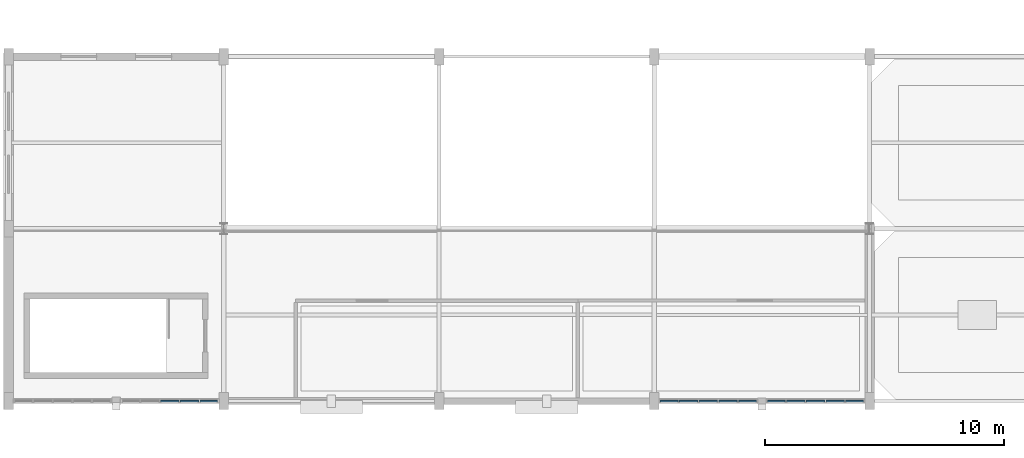
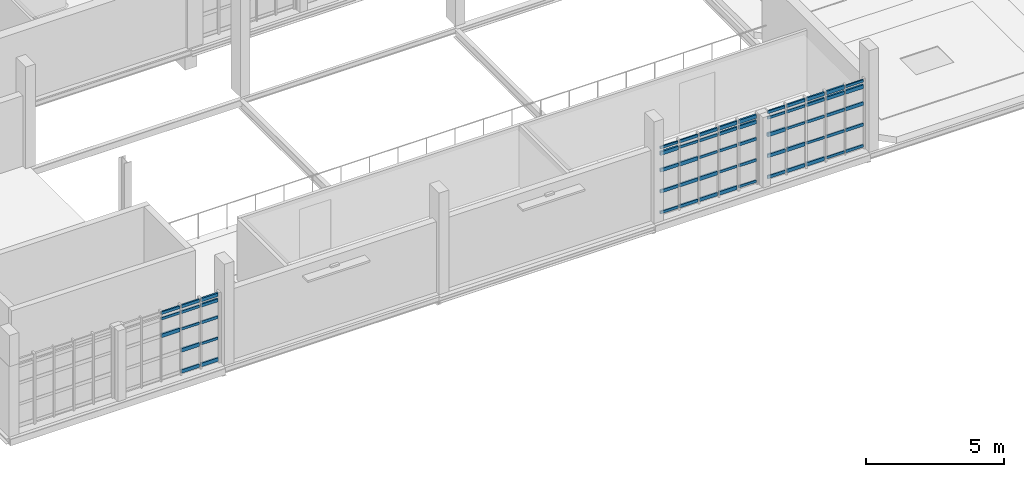
# One storey, part 54 of 125: 63 members, 3 elements without a shape of their own.
"""IFC4 building model written with IfcOpenShell, lengths in metres."""

from ifc_helpers import new_model, si_unit, direction, frame, origin, origin_2d, place, context, subcontext, project, spatial, rectangle, extrude, material, material_profile, profile_set, type_object, element, aggregate, save


model = new_model("IFC4")

# Units and contexts
model_context = context("Model", 3, precision=1e-05, world=origin(), true_north=direction((0.0, 1.0)))
body_context = subcontext(model_context, "Body", "Model", "MODEL_VIEW")
ifc_project = project(units=[si_unit("LENGTHUNIT", "METRE"), si_unit("AREAUNIT", "SQUARE_METRE"), si_unit("VOLUMEUNIT", "CUBIC_METRE"), si_unit("PLANEANGLEUNIT", "RADIAN"), si_unit("MASSUNIT", "GRAM", prefix="KILO")], contexts=[model_context])

# Site, building, storey
site_placement = place(None, origin())
site = spatial("IfcSite", under=ifc_project, at=site_placement, CompositionType="ELEMENT")
building_placement = place(site_placement, origin())
building = spatial("IfcBuilding", under=site, at=building_placement, Name="Serraforn Aerial Cableway Station", CompositionType="ELEMENT")
storey_placement = place(building_placement, frame((0.0, 0.0, 4.5)))
storey = spatial("IfcBuildingStorey", under=building, at=storey_placement, Name="L01", CompositionType="ELEMENT", Elevation=4.5)

# Curtain wall, members
ifc_material_1 = material(Name="Anodised bronze unitised curtain wall")
curtain_wall_type_1 = type_object("IfcCurtainWallType", Name="CW-SYS-26", PredefinedType="USERDEFINED", material=ifc_material_1)
curtain_wall_1_placement = place(storey_placement, origin())
curtain_wall_1 = element("IfcCurtainWall", 1, at=curtain_wall_1_placement, inside=storey, type_object=curtain_wall_type_1, Name="Unitised Curtain Wall CW-CF-L01-S1B", ObjectType="UNITISED CURTAIN WALL", PredefinedType="USERDEFINED")
ifc_material_2 = material(Name="Anodised bronze extruded aluminium", Category="aluminium")
ifc_material_profile_1 = material_profile(ifc_material_2, rectangle(XDim=0.054931640625, YDim=0.110107421875, at=origin_2d()), Name="CW TRANSOM 55x110")
ifc_profile_set_1 = profile_set([ifc_material_profile_1], Name="Anodised bronze extruded aluminium")
member_type_1 = type_object("IfcMemberType", Name="CW-TRN-1", PredefinedType="USERDEFINED", material=ifc_profile_set_1)
member_1_placement = place(storey_placement, frame((33.956787109375, 0.0, 2.74560546875), z_axis=(1.0, 0.0, 0.0), x_axis=(0.0, 1.0, 0.0)))
member_1 = element("IfcMember", 2, at=member_1_placement, type_object=member_type_1, Name="Curtain Wall Transom CW-CF-L01-S1B-T3-4", ObjectType="TRANSOM", PredefinedType="USERDEFINED", context=body_context, shape_type="SweptSolid", body=[
    extrude(rectangle(XDim=0.054931640625, YDim=0.110107421875, at=origin_2d()), origin(), (0.0, 0.0, 1.0), 0.765869140625),
])
member_2_placement = place(storey_placement, frame((34.78369140625, 0.0, 1.996826171875), z_axis=(1.0, 0.0, 0.0), x_axis=(0.0, 1.0, 0.0)))
member_2 = element("IfcMember", 3, at=member_2_placement, type_object=member_type_1, Name="Curtain Wall Transom CW-CF-L01-S1B-T4-3", ObjectType="TRANSOM", PredefinedType="USERDEFINED", context=body_context, shape_type="SweptSolid", body=[
    extrude(rectangle(XDim=0.054931640625, YDim=0.110107421875, at=origin_2d()), origin(), (0.0, 0.0, 1.0), 0.760986328125),
])
member_3_placement = place(storey_placement, frame((35.610595703125, 0.0, 1.060791015625), z_axis=(1.0, 0.0, 0.0), x_axis=(0.0, 1.0, 0.0)))
member_3 = element("IfcMember", 4, at=member_3_placement, type_object=member_type_1, Name="Curtain Wall Transom CW-CF-L01-S1B-T5-2", ObjectType="TRANSOM", PredefinedType="USERDEFINED", context=body_context, shape_type="SweptSolid", body=[
    extrude(rectangle(XDim=0.054931640625, YDim=0.110107421875, at=origin_2d()), origin(), (0.0, 0.0, 1.0), 0.718505859375),
])

curtain_wall_type_2 = type_object("IfcCurtainWallType", Name="CW-SYS-27", PredefinedType="USERDEFINED", material=ifc_material_1)
curtain_wall_2_placement = place(storey_placement, origin())
curtain_wall_2 = element("IfcCurtainWall", 5, at=curtain_wall_2_placement, inside=storey, type_object=curtain_wall_type_2, Name="Unitised Curtain Wall CW-CF-L01-S4A", ObjectType="UNITISED CURTAIN WALL", PredefinedType="USERDEFINED")
member_4_placement = place(storey_placement, frame((54.85107421875, 0.0, 2.9951171875), z_axis=(1.0, 0.0, 0.0), x_axis=(0.0, 1.0, 0.0)))
member_4 = element("IfcMember", 6, at=member_4_placement, type_object=member_type_1, Name="Curtain Wall Transom CW-CF-L01-S4A-T1-5", ObjectType="TRANSOM", PredefinedType="USERDEFINED", context=body_context, shape_type="SweptSolid", body=[
    extrude(rectangle(XDim=0.054931640625, YDim=0.110107421875, at=origin_2d()), origin(), (0.0, 0.0, 1.0), 0.743408203125),
])
member_5_placement = place(storey_placement, frame((55.650390625, 0.0, 2.74560546875), z_axis=(1.0, 0.0, 0.0), x_axis=(0.0, 1.0, 0.0)))
member_5 = element("IfcMember", 7, at=member_5_placement, type_object=member_type_1, Name="Curtain Wall Transom CW-CF-L01-S4A-T2-4", ObjectType="TRANSOM", PredefinedType="USERDEFINED", context=body_context, shape_type="SweptSolid", body=[
    extrude(rectangle(XDim=0.054931640625, YDim=0.110107421875, at=origin_2d()), origin(), (0.0, 0.0, 1.0), 0.765869140625),
])
member_6_placement = place(storey_placement, frame((56.477294921875, 0.0, 1.996826171875), z_axis=(1.0, 0.0, 0.0), x_axis=(0.0, 1.0, 0.0)))
member_6 = element("IfcMember", 8, at=member_6_placement, type_object=member_type_1, Name="Curtain Wall Transom CW-CF-L01-S4A-T3-3", ObjectType="TRANSOM", PredefinedType="USERDEFINED", context=body_context, shape_type="SweptSolid", body=[
    extrude(rectangle(XDim=0.054931640625, YDim=0.110107421875, at=origin_2d()), origin(), (0.0, 0.0, 1.0), 0.760986328125),
])
member_7_placement = place(storey_placement, frame((57.30419921875, 0.0, 1.060791015625), z_axis=(1.0, 0.0, 0.0), x_axis=(0.0, 1.0, 0.0)))
member_7 = element("IfcMember", 9, at=member_7_placement, type_object=member_type_1, Name="Curtain Wall Transom CW-CF-L01-S4A-T4-2", ObjectType="TRANSOM", PredefinedType="USERDEFINED", context=body_context, shape_type="SweptSolid", body=[
    extrude(rectangle(XDim=0.054931640625, YDim=0.110107421875, at=origin_2d()), origin(), (0.0, 0.0, 1.0), 0.755859375),
])
member_8_placement = place(storey_placement, frame((58.131103515625, 0.0, 0.124755859375), z_axis=(1.0, 0.0, 0.0), x_axis=(0.0, 1.0, 0.0)))
member_8 = element("IfcMember", 10, at=member_8_placement, type_object=member_type_1, Name="Curtain Wall Transom CW-CF-L01-S4A-T5-1", ObjectType="TRANSOM", PredefinedType="USERDEFINED", context=body_context, shape_type="SweptSolid", body=[
    extrude(rectangle(XDim=0.054931640625, YDim=0.110107421875, at=origin_2d()), origin(), (0.0, 0.0, 1.0), 0.73583984375),
])

curtain_wall_type_3 = type_object("IfcCurtainWallType", Name="CW-SYS-28", PredefinedType="USERDEFINED", material=ifc_material_1)
curtain_wall_3_placement = place(storey_placement, origin())
curtain_wall_3 = element("IfcCurtainWall", 11, at=curtain_wall_3_placement, inside=storey, type_object=curtain_wall_type_3, Name="Unitised Curtain Wall CW-CF-L01-S4B", ObjectType="UNITISED CURTAIN WALL", PredefinedType="USERDEFINED")
member_9_placement = place(storey_placement, frame((59.337890625, 0.0, 2.74560546875), z_axis=(1.0, 0.0, 0.0), x_axis=(0.0, 1.0, 0.0)))
member_9 = element("IfcMember", 12, at=member_9_placement, type_object=member_type_1, Name="Curtain Wall Transom CW-CF-L01-S4B-T1-4", ObjectType="TRANSOM", PredefinedType="USERDEFINED", context=body_context, shape_type="SweptSolid", body=[
    extrude(rectangle(XDim=0.054931640625, YDim=0.110107421875, at=origin_2d()), origin(), (0.0, 0.0, 1.0), 0.736083984375),
])
member_10_placement = place(storey_placement, frame((60.135009765625, 0.0, 1.996826171875), z_axis=(1.0, 0.0, 0.0), x_axis=(0.0, 1.0, 0.0)))
member_10 = element("IfcMember", 13, at=member_10_placement, type_object=member_type_1, Name="Curtain Wall Transom CW-CF-L01-S4B-T2-3", ObjectType="TRANSOM", PredefinedType="USERDEFINED", context=body_context, shape_type="SweptSolid", body=[
    extrude(rectangle(XDim=0.054931640625, YDim=0.110107421875, at=origin_2d()), origin(), (0.0, 0.0, 1.0), 0.7607421875),
])
member_11_placement = place(storey_placement, frame((60.9619140625, 0.0, 1.060791015625), z_axis=(1.0, 0.0, 0.0), x_axis=(0.0, 1.0, 0.0)))
member_11 = element("IfcMember", 14, at=member_11_placement, type_object=member_type_1, Name="Curtain Wall Transom CW-CF-L01-S4B-T3-2", ObjectType="TRANSOM", PredefinedType="USERDEFINED", context=body_context, shape_type="SweptSolid", body=[
    extrude(rectangle(XDim=0.054931640625, YDim=0.110107421875, at=origin_2d()), origin(), (0.0, 0.0, 1.0), 0.755859375),
])
member_12_placement = place(storey_placement, frame((61.788818359375, 0.0, 0.124755859375), z_axis=(1.0, 0.0, 0.0), x_axis=(0.0, 1.0, 0.0)))
member_12 = element("IfcMember", 15, at=member_12_placement, type_object=member_type_1, Name="Curtain Wall Transom CW-CF-L01-S4B-T4-1", ObjectType="TRANSOM", PredefinedType="USERDEFINED", context=body_context, shape_type="SweptSolid", body=[
    extrude(rectangle(XDim=0.054931640625, YDim=0.110107421875, at=origin_2d()), origin(), (0.0, 0.0, 1.0), 0.76318359375),
])
member_13_placement = place(storey_placement, frame((62.60302734375, 0.0, 2.9951171875), z_axis=(1.0, 0.0, 0.0), x_axis=(0.0, 1.0, 0.0)))
member_13 = element("IfcMember", 16, at=member_13_placement, type_object=member_type_1, Name="Curtain Wall Transom CW-CF-L01-S4B-T5-5", ObjectType="TRANSOM", PredefinedType="USERDEFINED", context=body_context, shape_type="SweptSolid", body=[
    extrude(rectangle(XDim=0.054931640625, YDim=0.110107421875, at=origin_2d()), origin(), (0.0, 0.0, 1.0), 0.740966796875),
])

# Member
ifc_material_profile_2 = material_profile(ifc_material_2, rectangle(XDim=0.06005859375, YDim=0.1201171875, at=origin_2d()), Name="CW TRANSOM 60x120")
ifc_profile_set_2 = profile_set([ifc_material_profile_2], Name="Anodised bronze extruded aluminium")
member_type_2 = type_object("IfcMemberType", Name="CW-TRN-2", PredefinedType="USERDEFINED", material=ifc_profile_set_2)
member_14_placement = place(storey_placement, frame((33.956787109375, 0.0, 2.9951171875), z_axis=(1.0, 0.0, 0.0), x_axis=(0.0, 1.0, 0.0)))
member_14 = element("IfcMember", 17, at=member_14_placement, type_object=member_type_2, Name="Curtain Wall Transom CW-CF-L01-S1B-T3-5", ObjectType="TRANSOM", PredefinedType="USERDEFINED", context=body_context, shape_type="SweptSolid", body=[
    extrude(rectangle(XDim=0.06005859375, YDim=0.1201171875, at=origin_2d()), origin(), (0.0, 0.0, 1.0), 0.765869140625),
])

member_15_placement = place(storey_placement, frame((34.78369140625, 0.0, 2.74560546875), z_axis=(1.0, 0.0, 0.0), x_axis=(0.0, 1.0, 0.0)))
member_15 = element("IfcMember", 18, at=member_15_placement, type_object=member_type_2, Name="Curtain Wall Transom CW-CF-L01-S1B-T4-4", ObjectType="TRANSOM", PredefinedType="USERDEFINED", context=body_context, shape_type="SweptSolid", body=[
    extrude(rectangle(XDim=0.06005859375, YDim=0.1201171875, at=origin_2d()), origin(), (0.0, 0.0, 1.0), 0.760986328125),
])

member_16_placement = place(storey_placement, frame((35.610595703125, 0.0, 1.996826171875), z_axis=(1.0, 0.0, 0.0), x_axis=(0.0, 1.0, 0.0)))
member_16 = element("IfcMember", 19, at=member_16_placement, type_object=member_type_2, Name="Curtain Wall Transom CW-CF-L01-S1B-T5-3", ObjectType="TRANSOM", PredefinedType="USERDEFINED", context=body_context, shape_type="SweptSolid", body=[
    extrude(rectangle(XDim=0.06005859375, YDim=0.1201171875, at=origin_2d()), origin(), (0.0, 0.0, 1.0), 0.718505859375),
])

member_17_placement = place(storey_placement, frame((54.85107421875, 0.0, 0.124755859375), z_axis=(1.0, 0.0, 0.0), x_axis=(0.0, 1.0, 0.0)))
member_17 = element("IfcMember", 20, at=member_17_placement, type_object=member_type_2, Name="Curtain Wall Transom CW-CF-L01-S4A-T1-1", ObjectType="TRANSOM", PredefinedType="USERDEFINED", context=body_context, shape_type="SweptSolid", body=[
    extrude(rectangle(XDim=0.06005859375, YDim=0.1201171875, at=origin_2d()), origin(), (0.0, 0.0, 1.0), 0.743408203125),
])

member_18_placement = place(storey_placement, frame((55.650390625, 0.0, 2.9951171875), z_axis=(1.0, 0.0, 0.0), x_axis=(0.0, 1.0, 0.0)))
member_18 = element("IfcMember", 21, at=member_18_placement, type_object=member_type_2, Name="Curtain Wall Transom CW-CF-L01-S4A-T2-5", ObjectType="TRANSOM", PredefinedType="USERDEFINED", context=body_context, shape_type="SweptSolid", body=[
    extrude(rectangle(XDim=0.06005859375, YDim=0.1201171875, at=origin_2d()), origin(), (0.0, 0.0, 1.0), 0.765869140625),
])

member_19_placement = place(storey_placement, frame((56.477294921875, 0.0, 2.74560546875), z_axis=(1.0, 0.0, 0.0), x_axis=(0.0, 1.0, 0.0)))
member_19 = element("IfcMember", 22, at=member_19_placement, type_object=member_type_2, Name="Curtain Wall Transom CW-CF-L01-S4A-T3-4", ObjectType="TRANSOM", PredefinedType="USERDEFINED", context=body_context, shape_type="SweptSolid", body=[
    extrude(rectangle(XDim=0.06005859375, YDim=0.1201171875, at=origin_2d()), origin(), (0.0, 0.0, 1.0), 0.760986328125),
])

member_20_placement = place(storey_placement, frame((57.30419921875, 0.0, 1.996826171875), z_axis=(1.0, 0.0, 0.0), x_axis=(0.0, 1.0, 0.0)))
member_20 = element("IfcMember", 23, at=member_20_placement, type_object=member_type_2, Name="Curtain Wall Transom CW-CF-L01-S4A-T4-3", ObjectType="TRANSOM", PredefinedType="USERDEFINED", context=body_context, shape_type="SweptSolid", body=[
    extrude(rectangle(XDim=0.06005859375, YDim=0.1201171875, at=origin_2d()), origin(), (0.0, 0.0, 1.0), 0.755859375),
])

member_21_placement = place(storey_placement, frame((58.131103515625, 0.0, 1.060791015625), z_axis=(1.0, 0.0, 0.0), x_axis=(0.0, 1.0, 0.0)))
member_21 = element("IfcMember", 24, at=member_21_placement, type_object=member_type_2, Name="Curtain Wall Transom CW-CF-L01-S4A-T5-2", ObjectType="TRANSOM", PredefinedType="USERDEFINED", context=body_context, shape_type="SweptSolid", body=[
    extrude(rectangle(XDim=0.06005859375, YDim=0.1201171875, at=origin_2d()), origin(), (0.0, 0.0, 1.0), 0.73583984375),
])

member_22_placement = place(storey_placement, frame((59.337890625, 0.0, 2.9951171875), z_axis=(1.0, 0.0, 0.0), x_axis=(0.0, 1.0, 0.0)))
member_22 = element("IfcMember", 25, at=member_22_placement, type_object=member_type_2, Name="Curtain Wall Transom CW-CF-L01-S4B-T1-5", ObjectType="TRANSOM", PredefinedType="USERDEFINED", context=body_context, shape_type="SweptSolid", body=[
    extrude(rectangle(XDim=0.06005859375, YDim=0.1201171875, at=origin_2d()), origin(), (0.0, 0.0, 1.0), 0.736083984375),
])

member_23_placement = place(storey_placement, frame((60.135009765625, 0.0, 2.74560546875), z_axis=(1.0, 0.0, 0.0), x_axis=(0.0, 1.0, 0.0)))
member_23 = element("IfcMember", 26, at=member_23_placement, type_object=member_type_2, Name="Curtain Wall Transom CW-CF-L01-S4B-T2-4", ObjectType="TRANSOM", PredefinedType="USERDEFINED", context=body_context, shape_type="SweptSolid", body=[
    extrude(rectangle(XDim=0.06005859375, YDim=0.1201171875, at=origin_2d()), origin(), (0.0, 0.0, 1.0), 0.7607421875),
])

member_24_placement = place(storey_placement, frame((60.9619140625, 0.0, 1.996826171875), z_axis=(1.0, 0.0, 0.0), x_axis=(0.0, 1.0, 0.0)))
member_24 = element("IfcMember", 27, at=member_24_placement, type_object=member_type_2, Name="Curtain Wall Transom CW-CF-L01-S4B-T3-3", ObjectType="TRANSOM", PredefinedType="USERDEFINED", context=body_context, shape_type="SweptSolid", body=[
    extrude(rectangle(XDim=0.06005859375, YDim=0.1201171875, at=origin_2d()), origin(), (0.0, 0.0, 1.0), 0.755859375),
])

member_25_placement = place(storey_placement, frame((61.788818359375, 0.0, 1.060791015625), z_axis=(1.0, 0.0, 0.0), x_axis=(0.0, 1.0, 0.0)))
member_25 = element("IfcMember", 28, at=member_25_placement, type_object=member_type_2, Name="Curtain Wall Transom CW-CF-L01-S4B-T4-2", ObjectType="TRANSOM", PredefinedType="USERDEFINED", context=body_context, shape_type="SweptSolid", body=[
    extrude(rectangle(XDim=0.06005859375, YDim=0.1201171875, at=origin_2d()), origin(), (0.0, 0.0, 1.0), 0.76318359375),
])

member_26_placement = place(storey_placement, frame((62.60302734375, 0.0, 0.124755859375), z_axis=(1.0, 0.0, 0.0), x_axis=(0.0, 1.0, 0.0)))
member_26 = element("IfcMember", 29, at=member_26_placement, type_object=member_type_2, Name="Curtain Wall Transom CW-CF-L01-S4B-T5-1", ObjectType="TRANSOM", PredefinedType="USERDEFINED", context=body_context, shape_type="SweptSolid", body=[
    extrude(rectangle(XDim=0.06005859375, YDim=0.1201171875, at=origin_2d()), origin(), (0.0, 0.0, 1.0), 0.740966796875),
])

ifc_material_profile_3 = material_profile(ifc_material_2, rectangle(XDim=0.06494140625, YDim=0.135009765625, at=origin_2d()), Name="CW TRANSOM 65x135")
ifc_profile_set_3 = profile_set([ifc_material_profile_3], Name="Anodised bronze extruded aluminium")
member_type_3 = type_object("IfcMemberType", Name="CW-TRN-3", PredefinedType="USERDEFINED", material=ifc_profile_set_3)
member_27_placement = place(storey_placement, frame((34.78369140625, 0.0, 2.9951171875), z_axis=(1.0, 0.0, 0.0), x_axis=(0.0, 1.0, 0.0)))
member_27 = element("IfcMember", 30, at=member_27_placement, type_object=member_type_3, Name="Curtain Wall Transom CW-CF-L01-S1B-T4-5", ObjectType="TRANSOM", PredefinedType="USERDEFINED", context=body_context, shape_type="SweptSolid", body=[
    extrude(rectangle(XDim=0.06494140625, YDim=0.135009765625, at=origin_2d()), origin(), (0.0, 0.0, 1.0), 0.760986328125),
])

member_28_placement = place(storey_placement, frame((35.610595703125, 0.0, 2.74560546875), z_axis=(1.0, 0.0, 0.0), x_axis=(0.0, 1.0, 0.0)))
member_28 = element("IfcMember", 31, at=member_28_placement, type_object=member_type_3, Name="Curtain Wall Transom CW-CF-L01-S1B-T5-4", ObjectType="TRANSOM", PredefinedType="USERDEFINED", context=body_context, shape_type="SweptSolid", body=[
    extrude(rectangle(XDim=0.06494140625, YDim=0.135009765625, at=origin_2d()), origin(), (0.0, 0.0, 1.0), 0.718505859375),
])

member_29_placement = place(storey_placement, frame((54.85107421875, 0.0, 1.060791015625), z_axis=(1.0, 0.0, 0.0), x_axis=(0.0, 1.0, 0.0)))
member_29 = element("IfcMember", 32, at=member_29_placement, type_object=member_type_3, Name="Curtain Wall Transom CW-CF-L01-S4A-T1-2", ObjectType="TRANSOM", PredefinedType="USERDEFINED", context=body_context, shape_type="SweptSolid", body=[
    extrude(rectangle(XDim=0.06494140625, YDim=0.135009765625, at=origin_2d()), origin(), (0.0, 0.0, 1.0), 0.743408203125),
])

member_30_placement = place(storey_placement, frame((55.650390625, 0.0, 0.124755859375), z_axis=(1.0, 0.0, 0.0), x_axis=(0.0, 1.0, 0.0)))
member_30 = element("IfcMember", 33, at=member_30_placement, type_object=member_type_3, Name="Curtain Wall Transom CW-CF-L01-S4A-T2-1", ObjectType="TRANSOM", PredefinedType="USERDEFINED", context=body_context, shape_type="SweptSolid", body=[
    extrude(rectangle(XDim=0.06494140625, YDim=0.135009765625, at=origin_2d()), origin(), (0.0, 0.0, 1.0), 0.765869140625),
])

member_31_placement = place(storey_placement, frame((56.477294921875, 0.0, 2.9951171875), z_axis=(1.0, 0.0, 0.0), x_axis=(0.0, 1.0, 0.0)))
member_31 = element("IfcMember", 34, at=member_31_placement, type_object=member_type_3, Name="Curtain Wall Transom CW-CF-L01-S4A-T3-5", ObjectType="TRANSOM", PredefinedType="USERDEFINED", context=body_context, shape_type="SweptSolid", body=[
    extrude(rectangle(XDim=0.06494140625, YDim=0.135009765625, at=origin_2d()), origin(), (0.0, 0.0, 1.0), 0.760986328125),
])

member_32_placement = place(storey_placement, frame((57.30419921875, 0.0, 2.74560546875), z_axis=(1.0, 0.0, 0.0), x_axis=(0.0, 1.0, 0.0)))
member_32 = element("IfcMember", 35, at=member_32_placement, type_object=member_type_3, Name="Curtain Wall Transom CW-CF-L01-S4A-T4-4", ObjectType="TRANSOM", PredefinedType="USERDEFINED", context=body_context, shape_type="SweptSolid", body=[
    extrude(rectangle(XDim=0.06494140625, YDim=0.135009765625, at=origin_2d()), origin(), (0.0, 0.0, 1.0), 0.755859375),
])

member_33_placement = place(storey_placement, frame((58.131103515625, 0.0, 1.996826171875), z_axis=(1.0, 0.0, 0.0), x_axis=(0.0, 1.0, 0.0)))
member_33 = element("IfcMember", 36, at=member_33_placement, type_object=member_type_3, Name="Curtain Wall Transom CW-CF-L01-S4A-T5-3", ObjectType="TRANSOM", PredefinedType="USERDEFINED", context=body_context, shape_type="SweptSolid", body=[
    extrude(rectangle(XDim=0.06494140625, YDim=0.135009765625, at=origin_2d()), origin(), (0.0, 0.0, 1.0), 0.73583984375),
])

member_34_placement = place(storey_placement, frame((59.337890625, 0.0, 0.124755859375), z_axis=(1.0, 0.0, 0.0), x_axis=(0.0, 1.0, 0.0)))
member_34 = element("IfcMember", 37, at=member_34_placement, type_object=member_type_3, Name="Curtain Wall Transom CW-CF-L01-S4B-T1-1", ObjectType="TRANSOM", PredefinedType="USERDEFINED", context=body_context, shape_type="SweptSolid", body=[
    extrude(rectangle(XDim=0.06494140625, YDim=0.135009765625, at=origin_2d()), origin(), (0.0, 0.0, 1.0), 0.736083984375),
])

member_35_placement = place(storey_placement, frame((60.135009765625, 0.0, 2.9951171875), z_axis=(1.0, 0.0, 0.0), x_axis=(0.0, 1.0, 0.0)))
member_35 = element("IfcMember", 38, at=member_35_placement, type_object=member_type_3, Name="Curtain Wall Transom CW-CF-L01-S4B-T2-5", ObjectType="TRANSOM", PredefinedType="USERDEFINED", context=body_context, shape_type="SweptSolid", body=[
    extrude(rectangle(XDim=0.06494140625, YDim=0.135009765625, at=origin_2d()), origin(), (0.0, 0.0, 1.0), 0.7607421875),
])

member_36_placement = place(storey_placement, frame((60.9619140625, 0.0, 2.74560546875), z_axis=(1.0, 0.0, 0.0), x_axis=(0.0, 1.0, 0.0)))
member_36 = element("IfcMember", 39, at=member_36_placement, type_object=member_type_3, Name="Curtain Wall Transom CW-CF-L01-S4B-T3-4", ObjectType="TRANSOM", PredefinedType="USERDEFINED", context=body_context, shape_type="SweptSolid", body=[
    extrude(rectangle(XDim=0.06494140625, YDim=0.135009765625, at=origin_2d()), origin(), (0.0, 0.0, 1.0), 0.755859375),
])

member_37_placement = place(storey_placement, frame((61.788818359375, 0.0, 1.996826171875), z_axis=(1.0, 0.0, 0.0), x_axis=(0.0, 1.0, 0.0)))
member_37 = element("IfcMember", 40, at=member_37_placement, type_object=member_type_3, Name="Curtain Wall Transom CW-CF-L01-S4B-T4-3", ObjectType="TRANSOM", PredefinedType="USERDEFINED", context=body_context, shape_type="SweptSolid", body=[
    extrude(rectangle(XDim=0.06494140625, YDim=0.135009765625, at=origin_2d()), origin(), (0.0, 0.0, 1.0), 0.76318359375),
])

member_38_placement = place(storey_placement, frame((62.60302734375, 0.0, 1.060791015625), z_axis=(1.0, 0.0, 0.0), x_axis=(0.0, 1.0, 0.0)))
member_38 = element("IfcMember", 41, at=member_38_placement, type_object=member_type_3, Name="Curtain Wall Transom CW-CF-L01-S4B-T5-2", ObjectType="TRANSOM", PredefinedType="USERDEFINED", context=body_context, shape_type="SweptSolid", body=[
    extrude(rectangle(XDim=0.06494140625, YDim=0.135009765625, at=origin_2d()), origin(), (0.0, 0.0, 1.0), 0.740966796875),
])

ifc_material_profile_4 = material_profile(ifc_material_2, rectangle(XDim=0.070068359375, YDim=0.14990234375, at=origin_2d()), Name="CW TRANSOM 70x150")
ifc_profile_set_4 = profile_set([ifc_material_profile_4], Name="Anodised bronze extruded aluminium")
member_type_4 = type_object("IfcMemberType", Name="CW-TRN-4", PredefinedType="USERDEFINED", material=ifc_profile_set_4)
member_39_placement = place(storey_placement, frame((34.78369140625, 0.0, 0.124755859375), z_axis=(1.0, 0.0, 0.0), x_axis=(0.0, 1.0, 0.0)))
member_39 = element("IfcMember", 42, at=member_39_placement, type_object=member_type_4, Name="Curtain Wall Transom CW-CF-L01-S1B-T4-1", ObjectType="TRANSOM", PredefinedType="USERDEFINED", context=body_context, shape_type="SweptSolid", body=[
    extrude(rectangle(XDim=0.070068359375, YDim=0.14990234375, at=origin_2d()), origin(), (0.0, 0.0, 1.0), 0.760986328125),
])

member_40_placement = place(storey_placement, frame((35.610595703125, 0.0, 2.9951171875), z_axis=(1.0, 0.0, 0.0), x_axis=(0.0, 1.0, 0.0)))
member_40 = element("IfcMember", 43, at=member_40_placement, type_object=member_type_4, Name="Curtain Wall Transom CW-CF-L01-S1B-T5-5", ObjectType="TRANSOM", PredefinedType="USERDEFINED", context=body_context, shape_type="SweptSolid", body=[
    extrude(rectangle(XDim=0.070068359375, YDim=0.14990234375, at=origin_2d()), origin(), (0.0, 0.0, 1.0), 0.718505859375),
])

member_41_placement = place(storey_placement, frame((54.85107421875, 0.0, 1.996826171875), z_axis=(1.0, 0.0, 0.0), x_axis=(0.0, 1.0, 0.0)))
member_41 = element("IfcMember", 44, at=member_41_placement, type_object=member_type_4, Name="Curtain Wall Transom CW-CF-L01-S4A-T1-3", ObjectType="TRANSOM", PredefinedType="USERDEFINED", context=body_context, shape_type="SweptSolid", body=[
    extrude(rectangle(XDim=0.070068359375, YDim=0.14990234375, at=origin_2d()), origin(), (0.0, 0.0, 1.0), 0.743408203125),
])

member_42_placement = place(storey_placement, frame((55.650390625, 0.0, 1.060791015625), z_axis=(1.0, 0.0, 0.0), x_axis=(0.0, 1.0, 0.0)))
member_42 = element("IfcMember", 45, at=member_42_placement, type_object=member_type_4, Name="Curtain Wall Transom CW-CF-L01-S4A-T2-2", ObjectType="TRANSOM", PredefinedType="USERDEFINED", context=body_context, shape_type="SweptSolid", body=[
    extrude(rectangle(XDim=0.070068359375, YDim=0.14990234375, at=origin_2d()), origin(), (0.0, 0.0, 1.0), 0.765869140625),
])

member_43_placement = place(storey_placement, frame((56.477294921875, 0.0, 0.124755859375), z_axis=(1.0, 0.0, 0.0), x_axis=(0.0, 1.0, 0.0)))
member_43 = element("IfcMember", 46, at=member_43_placement, type_object=member_type_4, Name="Curtain Wall Transom CW-CF-L01-S4A-T3-1", ObjectType="TRANSOM", PredefinedType="USERDEFINED", context=body_context, shape_type="SweptSolid", body=[
    extrude(rectangle(XDim=0.070068359375, YDim=0.14990234375, at=origin_2d()), origin(), (0.0, 0.0, 1.0), 0.760986328125),
])

member_44_placement = place(storey_placement, frame((57.30419921875, 0.0, 2.9951171875), z_axis=(1.0, 0.0, 0.0), x_axis=(0.0, 1.0, 0.0)))
member_44 = element("IfcMember", 47, at=member_44_placement, type_object=member_type_4, Name="Curtain Wall Transom CW-CF-L01-S4A-T4-5", ObjectType="TRANSOM", PredefinedType="USERDEFINED", context=body_context, shape_type="SweptSolid", body=[
    extrude(rectangle(XDim=0.070068359375, YDim=0.14990234375, at=origin_2d()), origin(), (0.0, 0.0, 1.0), 0.755859375),
])

member_45_placement = place(storey_placement, frame((58.131103515625, 0.0, 2.74560546875), z_axis=(1.0, 0.0, 0.0), x_axis=(0.0, 1.0, 0.0)))
member_45 = element("IfcMember", 48, at=member_45_placement, type_object=member_type_4, Name="Curtain Wall Transom CW-CF-L01-S4A-T5-4", ObjectType="TRANSOM", PredefinedType="USERDEFINED", context=body_context, shape_type="SweptSolid", body=[
    extrude(rectangle(XDim=0.070068359375, YDim=0.14990234375, at=origin_2d()), origin(), (0.0, 0.0, 1.0), 0.73583984375),
])

member_46_placement = place(storey_placement, frame((59.337890625, 0.0, 1.060791015625), z_axis=(1.0, 0.0, 0.0), x_axis=(0.0, 1.0, 0.0)))
member_46 = element("IfcMember", 49, at=member_46_placement, type_object=member_type_4, Name="Curtain Wall Transom CW-CF-L01-S4B-T1-2", ObjectType="TRANSOM", PredefinedType="USERDEFINED", context=body_context, shape_type="SweptSolid", body=[
    extrude(rectangle(XDim=0.070068359375, YDim=0.14990234375, at=origin_2d()), origin(), (0.0, 0.0, 1.0), 0.736083984375),
])

member_47_placement = place(storey_placement, frame((60.135009765625, 0.0, 0.124755859375), z_axis=(1.0, 0.0, 0.0), x_axis=(0.0, 1.0, 0.0)))
member_47 = element("IfcMember", 50, at=member_47_placement, type_object=member_type_4, Name="Curtain Wall Transom CW-CF-L01-S4B-T2-1", ObjectType="TRANSOM", PredefinedType="USERDEFINED", context=body_context, shape_type="SweptSolid", body=[
    extrude(rectangle(XDim=0.070068359375, YDim=0.14990234375, at=origin_2d()), origin(), (0.0, 0.0, 1.0), 0.7607421875),
])

member_48_placement = place(storey_placement, frame((60.9619140625, 0.0, 2.9951171875), z_axis=(1.0, 0.0, 0.0), x_axis=(0.0, 1.0, 0.0)))
member_48 = element("IfcMember", 51, at=member_48_placement, type_object=member_type_4, Name="Curtain Wall Transom CW-CF-L01-S4B-T3-5", ObjectType="TRANSOM", PredefinedType="USERDEFINED", context=body_context, shape_type="SweptSolid", body=[
    extrude(rectangle(XDim=0.070068359375, YDim=0.14990234375, at=origin_2d()), origin(), (0.0, 0.0, 1.0), 0.755859375),
])

member_49_placement = place(storey_placement, frame((61.788818359375, 0.0, 2.74560546875), z_axis=(1.0, 0.0, 0.0), x_axis=(0.0, 1.0, 0.0)))
member_49 = element("IfcMember", 52, at=member_49_placement, type_object=member_type_4, Name="Curtain Wall Transom CW-CF-L01-S4B-T4-4", ObjectType="TRANSOM", PredefinedType="USERDEFINED", context=body_context, shape_type="SweptSolid", body=[
    extrude(rectangle(XDim=0.070068359375, YDim=0.14990234375, at=origin_2d()), origin(), (0.0, 0.0, 1.0), 0.76318359375),
])

member_50_placement = place(storey_placement, frame((62.60302734375, 0.0, 1.996826171875), z_axis=(1.0, 0.0, 0.0), x_axis=(0.0, 1.0, 0.0)))
member_50 = element("IfcMember", 53, at=member_50_placement, type_object=member_type_4, Name="Curtain Wall Transom CW-CF-L01-S4B-T5-3", ObjectType="TRANSOM", PredefinedType="USERDEFINED", context=body_context, shape_type="SweptSolid", body=[
    extrude(rectangle(XDim=0.070068359375, YDim=0.14990234375, at=origin_2d()), origin(), (0.0, 0.0, 1.0), 0.740966796875),
])

ifc_material_profile_5 = material_profile(ifc_material_2, rectangle(XDim=0.074951171875, YDim=0.1650390625, at=origin_2d()), Name="CW TRANSOM 75x165")
ifc_profile_set_5 = profile_set([ifc_material_profile_5], Name="Anodised bronze extruded aluminium")
member_type_5 = type_object("IfcMemberType", Name="CW-TRN-5", PredefinedType="USERDEFINED", material=ifc_profile_set_5)
member_51_placement = place(storey_placement, frame((33.956787109375, 0.0, 1.996826171875), z_axis=(1.0, 0.0, 0.0), x_axis=(0.0, 1.0, 0.0)))
member_51 = element("IfcMember", 54, at=member_51_placement, type_object=member_type_5, Name="Curtain Wall Transom CW-CF-L01-S1B-T3-3", ObjectType="TRANSOM", PredefinedType="USERDEFINED", context=body_context, shape_type="SweptSolid", body=[
    extrude(rectangle(XDim=0.074951171875, YDim=0.1650390625, at=origin_2d()), origin(), (0.0, 0.0, 1.0), 0.765869140625),
])

member_52_placement = place(storey_placement, frame((34.78369140625, 0.0, 1.060791015625), z_axis=(1.0, 0.0, 0.0), x_axis=(0.0, 1.0, 0.0)))
member_52 = element("IfcMember", 55, at=member_52_placement, type_object=member_type_5, Name="Curtain Wall Transom CW-CF-L01-S1B-T4-2", ObjectType="TRANSOM", PredefinedType="USERDEFINED", context=body_context, shape_type="SweptSolid", body=[
    extrude(rectangle(XDim=0.074951171875, YDim=0.1650390625, at=origin_2d()), origin(), (0.0, 0.0, 1.0), 0.760986328125),
])

member_53_placement = place(storey_placement, frame((35.610595703125, 0.0, 0.124755859375), z_axis=(1.0, 0.0, 0.0), x_axis=(0.0, 1.0, 0.0)))
member_53 = element("IfcMember", 56, at=member_53_placement, type_object=member_type_5, Name="Curtain Wall Transom CW-CF-L01-S1B-T5-1", ObjectType="TRANSOM", PredefinedType="USERDEFINED", context=body_context, shape_type="SweptSolid", body=[
    extrude(rectangle(XDim=0.074951171875, YDim=0.1650390625, at=origin_2d()), origin(), (0.0, 0.0, 1.0), 0.718505859375),
])

aggregate(curtain_wall_1, [member_51, member_1, member_14, member_39, member_52, member_2, member_15, member_27, member_53, member_3, member_16, member_28, member_40])

member_54_placement = place(storey_placement, frame((54.85107421875, 0.0, 2.74560546875), z_axis=(1.0, 0.0, 0.0), x_axis=(0.0, 1.0, 0.0)))
member_54 = element("IfcMember", 57, at=member_54_placement, type_object=member_type_5, Name="Curtain Wall Transom CW-CF-L01-S4A-T1-4", ObjectType="TRANSOM", PredefinedType="USERDEFINED", context=body_context, shape_type="SweptSolid", body=[
    extrude(rectangle(XDim=0.074951171875, YDim=0.1650390625, at=origin_2d()), origin(), (0.0, 0.0, 1.0), 0.743408203125),
])

member_55_placement = place(storey_placement, frame((55.650390625, 0.0, 1.996826171875), z_axis=(1.0, 0.0, 0.0), x_axis=(0.0, 1.0, 0.0)))
member_55 = element("IfcMember", 58, at=member_55_placement, type_object=member_type_5, Name="Curtain Wall Transom CW-CF-L01-S4A-T2-3", ObjectType="TRANSOM", PredefinedType="USERDEFINED", context=body_context, shape_type="SweptSolid", body=[
    extrude(rectangle(XDim=0.074951171875, YDim=0.1650390625, at=origin_2d()), origin(), (0.0, 0.0, 1.0), 0.765869140625),
])

member_56_placement = place(storey_placement, frame((56.477294921875, 0.0, 1.060791015625), z_axis=(1.0, 0.0, 0.0), x_axis=(0.0, 1.0, 0.0)))
member_56 = element("IfcMember", 59, at=member_56_placement, type_object=member_type_5, Name="Curtain Wall Transom CW-CF-L01-S4A-T3-2", ObjectType="TRANSOM", PredefinedType="USERDEFINED", context=body_context, shape_type="SweptSolid", body=[
    extrude(rectangle(XDim=0.074951171875, YDim=0.1650390625, at=origin_2d()), origin(), (0.0, 0.0, 1.0), 0.760986328125),
])

member_57_placement = place(storey_placement, frame((57.30419921875, 0.0, 0.124755859375), z_axis=(1.0, 0.0, 0.0), x_axis=(0.0, 1.0, 0.0)))
member_57 = element("IfcMember", 60, at=member_57_placement, type_object=member_type_5, Name="Curtain Wall Transom CW-CF-L01-S4A-T4-1", ObjectType="TRANSOM", PredefinedType="USERDEFINED", context=body_context, shape_type="SweptSolid", body=[
    extrude(rectangle(XDim=0.074951171875, YDim=0.1650390625, at=origin_2d()), origin(), (0.0, 0.0, 1.0), 0.755859375),
])

member_58_placement = place(storey_placement, frame((58.131103515625, 0.0, 2.9951171875), z_axis=(1.0, 0.0, 0.0), x_axis=(0.0, 1.0, 0.0)))
member_58 = element("IfcMember", 61, at=member_58_placement, type_object=member_type_5, Name="Curtain Wall Transom CW-CF-L01-S4A-T5-5", ObjectType="TRANSOM", PredefinedType="USERDEFINED", context=body_context, shape_type="SweptSolid", body=[
    extrude(rectangle(XDim=0.074951171875, YDim=0.1650390625, at=origin_2d()), origin(), (0.0, 0.0, 1.0), 0.73583984375),
])

aggregate(curtain_wall_2, [member_17, member_29, member_41, member_54, member_4, member_30, member_42, member_55, member_5, member_18, member_43, member_56, member_6, member_19, member_31, member_57, member_7, member_20, member_32, member_44, member_8, member_21, member_33, member_45, member_58])

member_59_placement = place(storey_placement, frame((59.337890625, 0.0, 1.996826171875), z_axis=(1.0, 0.0, 0.0), x_axis=(0.0, 1.0, 0.0)))
member_59 = element("IfcMember", 62, at=member_59_placement, type_object=member_type_5, Name="Curtain Wall Transom CW-CF-L01-S4B-T1-3", ObjectType="TRANSOM", PredefinedType="USERDEFINED", context=body_context, shape_type="SweptSolid", body=[
    extrude(rectangle(XDim=0.074951171875, YDim=0.1650390625, at=origin_2d()), origin(), (0.0, 0.0, 1.0), 0.736083984375),
])

member_60_placement = place(storey_placement, frame((60.135009765625, 0.0, 1.060791015625), z_axis=(1.0, 0.0, 0.0), x_axis=(0.0, 1.0, 0.0)))
member_60 = element("IfcMember", 63, at=member_60_placement, type_object=member_type_5, Name="Curtain Wall Transom CW-CF-L01-S4B-T2-2", ObjectType="TRANSOM", PredefinedType="USERDEFINED", context=body_context, shape_type="SweptSolid", body=[
    extrude(rectangle(XDim=0.074951171875, YDim=0.1650390625, at=origin_2d()), origin(), (0.0, 0.0, 1.0), 0.7607421875),
])

member_61_placement = place(storey_placement, frame((60.9619140625, 0.0, 0.124755859375), z_axis=(1.0, 0.0, 0.0), x_axis=(0.0, 1.0, 0.0)))
member_61 = element("IfcMember", 64, at=member_61_placement, type_object=member_type_5, Name="Curtain Wall Transom CW-CF-L01-S4B-T3-1", ObjectType="TRANSOM", PredefinedType="USERDEFINED", context=body_context, shape_type="SweptSolid", body=[
    extrude(rectangle(XDim=0.074951171875, YDim=0.1650390625, at=origin_2d()), origin(), (0.0, 0.0, 1.0), 0.755859375),
])

member_62_placement = place(storey_placement, frame((61.788818359375, 0.0, 2.9951171875), z_axis=(1.0, 0.0, 0.0), x_axis=(0.0, 1.0, 0.0)))
member_62 = element("IfcMember", 65, at=member_62_placement, type_object=member_type_5, Name="Curtain Wall Transom CW-CF-L01-S4B-T4-5", ObjectType="TRANSOM", PredefinedType="USERDEFINED", context=body_context, shape_type="SweptSolid", body=[
    extrude(rectangle(XDim=0.074951171875, YDim=0.1650390625, at=origin_2d()), origin(), (0.0, 0.0, 1.0), 0.76318359375),
])

member_63_placement = place(storey_placement, frame((62.60302734375, 0.0, 2.74560546875), z_axis=(1.0, 0.0, 0.0), x_axis=(0.0, 1.0, 0.0)))
member_63 = element("IfcMember", 66, at=member_63_placement, type_object=member_type_5, Name="Curtain Wall Transom CW-CF-L01-S4B-T5-4", ObjectType="TRANSOM", PredefinedType="USERDEFINED", context=body_context, shape_type="SweptSolid", body=[
    extrude(rectangle(XDim=0.074951171875, YDim=0.1650390625, at=origin_2d()), origin(), (0.0, 0.0, 1.0), 0.740966796875),
])

aggregate(curtain_wall_3, [member_34, member_46, member_59, member_9, member_22, member_47, member_60, member_10, member_23, member_35, member_61, member_11, member_24, member_36, member_48, member_12, member_25, member_37, member_49, member_62, member_26, member_38, member_50, member_63, member_13])

save(model, "model.ifc")
